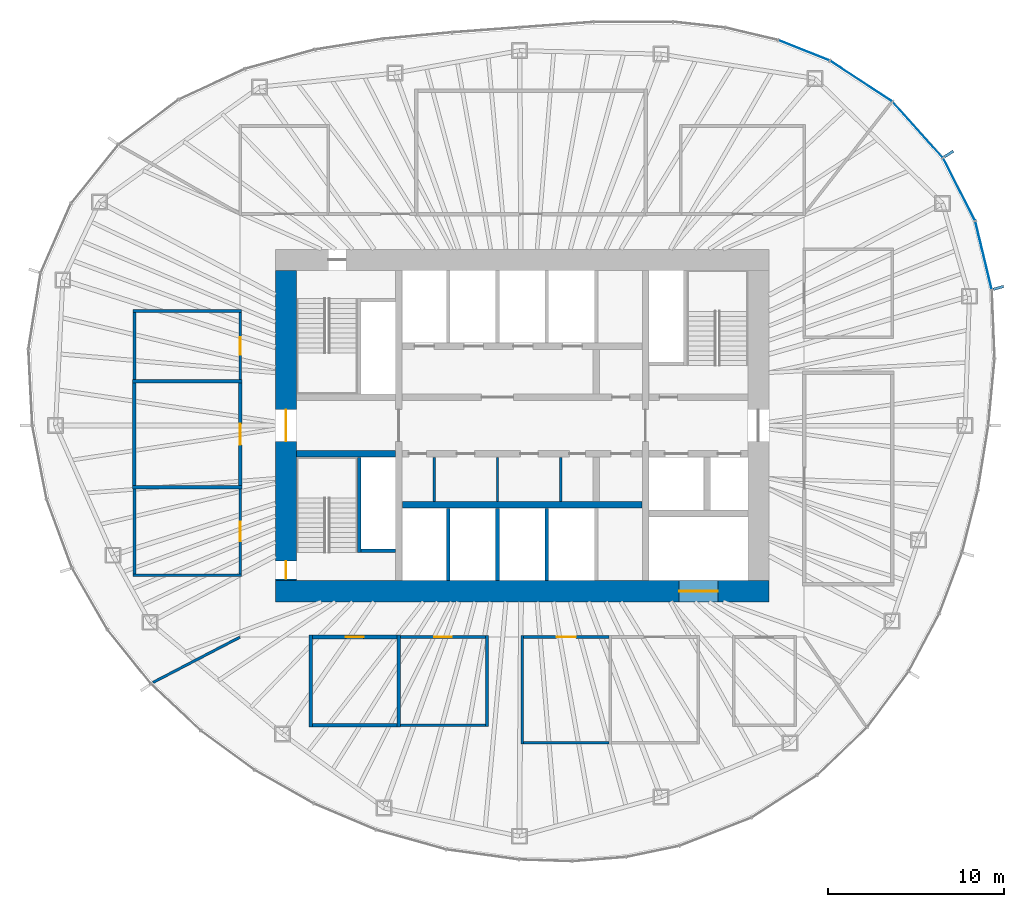
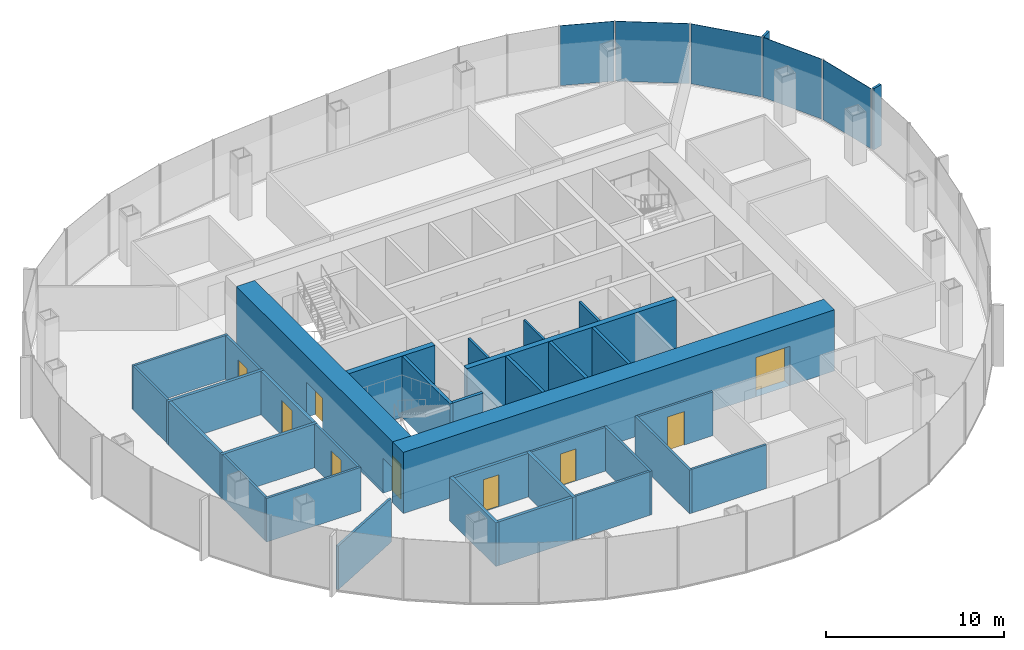
# One storey, part 8 of 11: 33 walls, 9 doors, 7 plates, 9 openings, 3 elements without a shape of their own.
"""IFC4 building model written with IfcOpenShell, lengths in metres."""

from ifc_helpers import new_model, si_unit, direction, frame, frame_2d, origin, origin_2d, place, context, subcontext, project, spatial, rectangle, extrude, material, layer, layer_set, type_object, element, fill, aggregate, save


model = new_model("IFC4")

# Units and contexts
model_context = context("Model", 3, precision=1e-05, world=origin(), true_north=direction((0.0, 1.0)))
body_context = subcontext(model_context, "Body", "Model", "MODEL_VIEW")
ifc_project = project(units=[si_unit("LENGTHUNIT", "METRE"), si_unit("AREAUNIT", "SQUARE_METRE"), si_unit("VOLUMEUNIT", "CUBIC_METRE"), si_unit("PLANEANGLEUNIT", "RADIAN"), si_unit("MASSUNIT", "GRAM", prefix="KILO")], contexts=[model_context])

# Site, building, storey
site_placement = place(None, origin())
site = spatial("IfcSite", under=ifc_project, at=site_placement, CompositionType="ELEMENT")
building_placement = place(site_placement, origin())
building = spatial("IfcBuilding", under=site, at=building_placement, Name="Ghaith Harvest Tower", CompositionType="ELEMENT")
storey_placement = place(building_placement, frame((0.0, 0.0, 262.0)))
storey = spatial("IfcBuildingStorey", under=building, at=storey_placement, Name="L58", CompositionType="ELEMENT", Elevation=262.0)

# Curtain wall, plates
ifc_material_1 = material(Name="Black anodised aluminium and fritted glass", Category="aluminium")
curtain_wall_type = type_object("IfcCurtainWallType", Name="CW-H CURTAIN WALL", PredefinedType="NOTDEFINED", material=ifc_material_1)
curtain_wall_1_placement = place(storey_placement, origin())
curtain_wall_1 = element("IfcCurtainWall", 1, at=curtain_wall_1_placement, inside=storey, type_object=curtain_wall_type, Name="Curtain wall CW-H bay 02 L58", PredefinedType="NOTDEFINED")
ifc_material_2 = material(Name="Glass, dark solar-control fritted double glazed unit", Category="glass")
ifc_layer_1 = layer(ifc_material_2, 0.030029296875)
ifc_layer_set_1 = layer_set([ifc_layer_1], Name="CW-H VISION PANEL")
plate_type_1 = type_object("IfcPlateType", Name="CW-H VISION PANEL", PredefinedType="CURTAIN_PANEL", material=ifc_layer_set_1)
plate_1_placement = place(storey_placement, frame((26.1767578125, 9.6533203125, 0.079833984375), z_axis=(0.0, 0.0, 1.0), x_axis=(-0.233894000303, 0.972262102842, 0.0)))
plate_1 = element("IfcPlate", 2, at=plate_1_placement, type_object=plate_type_1, Name="CW-H glass unit 1 bay 02 L58", PredefinedType="CURTAIN_PANEL", context=body_context, shape_type="SweptSolid", body=[
    extrude(rectangle(XDim=3.935546875, YDim=0.030029296875, at=origin_2d()), origin(), (0.0, 0.0, 1.0), 4.1201171875),
])
plate_2_placement = place(storey_placement, frame((24.790771484375, 13.399658203125, 0.079833984375), z_axis=(0.0, 0.0, 1.0), x_axis=(-0.454915320985, 0.890534699342, 0.0)))
plate_2 = element("IfcPlate", 3, at=plate_2_placement, type_object=plate_type_1, Name="CW-H glass unit 2 bay 02 L58", PredefinedType="CURTAIN_PANEL", context=body_context, shape_type="SweptSolid", body=[
    extrude(rectangle(XDim=3.949462890625, YDim=0.030029296875, at=origin_2d()), origin(), (0.0, 0.0, 1.0), 4.1201171875),
])
aggregate(curtain_wall_1, [plate_1, plate_2])

curtain_wall_2_placement = place(storey_placement, origin())
curtain_wall_2 = element("IfcCurtainWall", 4, at=curtain_wall_2_placement, inside=storey, type_object=curtain_wall_type, Name="Curtain wall CW-H bay 03 L58", PredefinedType="NOTDEFINED")
plate_3_placement = place(storey_placement, frame((22.44384765625, 16.783935546875, 0.079833984375), z_axis=(0.0, 0.0, 1.0), x_axis=(-0.668757736889, 0.743480389352, 0.0)))
plate_3 = element("IfcPlate", 5, at=plate_3_placement, type_object=plate_type_1, Name="CW-H glass unit 1 bay 03 L58", PredefinedType="CURTAIN_PANEL", context=body_context, shape_type="SweptSolid", body=[
    extrude(rectangle(XDim=4.19775390625, YDim=0.030029296875, at=origin_2d()), origin(), (0.0, 0.0, 1.0), 4.1201171875),
])
plate_4_placement = place(storey_placement, frame((19.236328125, 19.539306640625, 0.079833984375), z_axis=(0.0, 0.0, 1.0), x_axis=(-0.836276741583, 0.548307588392, 0.0)))
plate_4 = element("IfcPlate", 6, at=plate_4_placement, type_object=plate_type_1, Name="CW-H glass unit 2 bay 03 L58", PredefinedType="CURTAIN_PANEL", context=body_context, shape_type="SweptSolid", body=[
    extrude(rectangle(XDim=4.169677734375, YDim=0.030029296875, at=origin_2d()), origin(), (0.0, 0.0, 1.0), 4.1201171875),
])
aggregate(curtain_wall_2, [plate_3, plate_4])

# Curtain wall, plate
curtain_wall_3_placement = place(storey_placement, origin())
curtain_wall_3 = element("IfcCurtainWall", 7, at=curtain_wall_3_placement, inside=storey, type_object=curtain_wall_type, Name="Curtain wall CW-H bay 04 L58", PredefinedType="NOTDEFINED")
plate_5_placement = place(storey_placement, frame((15.993408203125, 21.287841796875, 0.079833984375), z_axis=(0.0, 0.0, 1.0), x_axis=(-0.929107322045, 0.369810200133, 0.0)))
plate_5 = element("IfcPlate", 8, at=plate_5_placement, type_object=plate_type_1, Name="CW-H glass unit 1 bay 04 L58", PredefinedType="CURTAIN_PANEL", context=body_context, shape_type="SweptSolid", body=[
    extrude(rectangle(XDim=3.075927734375, YDim=0.030029296875, at=origin_2d()), origin(), (0.0, 0.0, 1.0), 4.1201171875),
])
aggregate(curtain_wall_3, [plate_5])

# Plates
ifc_material_3 = material(Name="Glassfibre-reinforced concrete", Category="concrete")
ifc_layer_2 = layer(ifc_material_3, 0.14990234375)
ifc_layer_set_2 = layer_set([ifc_layer_2], Name="SUN-BREAKER FIN 600x150")
plate_type_2 = type_object("IfcPlateType", Name="SUN-BREAKER FIN 600x150", PredefinedType="USERDEFINED", material=ifc_layer_set_2)
for number, where, z_axis, x_axis, name in (
    (9, (27.03076171875, 7.8125, 0.0), (0.0, 0.0, 1.0), (0.960680349985, 0.277656739792, 0.0), "Sun-breaker fin CW-H 1 bay 02 L58"),
    (10, (24.211669921875, 15.408447265625, 0.0), (0.0, 0.0, 1.0), (0.843643971464, 0.536903016766, 0.0), "Sun-breaker fin CW-H 1 bay 03 L58"),
):
    element("IfcPlate", number, at=place(storey_placement, frame(where, z_axis=z_axis, x_axis=x_axis)), inside=storey, type_object=plate_type_2, Name=name, ObjectType="SUN-BREAKER FIN", PredefinedType="USERDEFINED", context=body_context, shape_type="SweptSolid", body=[
        extrude(rectangle(XDim=0.60009765625, YDim=0.14990234375, at=origin_2d()), origin(), (0.0, 0.0, 1.0), 4.199951171875),
    ])

# Walls
ifc_material_4 = material(Name="Twin-stud gypsum board, acoustic", Category="gypsum")
ifc_layer_3 = layer(ifc_material_4, 0.199951171875)
ifc_layer_set_3 = layer_set([ifc_layer_3], Name="ACOUSTIC PARTITION 200")
wall_type_1 = type_object("IfcWallType", Name="ACOUSTIC PARTITION 200", PredefinedType="PARTITIONING", material=ifc_layer_set_3)
for number, where, z_axis, x_axis, name in (
    (11, (-12.0, -11.89990234375, 0.0), (0.0, 0.0, 1.0), (0.0, -1.0, 0.0), "Partition L58 row S5 cross wall 1"),
    (12, (-7.0, -11.89990234375, 0.0), (0.0, 0.0, 1.0), (0.0, -1.0, 0.0), "Partition L58 row S5 cross wall 2"),
):
    element("IfcWall", number, at=place(storey_placement, frame(where, z_axis=z_axis, x_axis=x_axis)), inside=storey, type_object=wall_type_1, Name=name, PredefinedType="PARTITIONING", context=body_context, shape_type="SweptSolid", body=[
        extrude(rectangle(XDim=5.2001953125, YDim=0.199951171875, at=frame_2d((2.60009765625, 0.0))), origin(), (0.0, 0.0, 1.0), 3.0),
    ])

# Wall, opening, door
wall_1_placement = place(storey_placement, frame((-11.89990234375, -12.0, 0.0), z_axis=(0.0, 0.0, 1.0), x_axis=(1.0, 0.0, 0.0)))
wall_1 = element("IfcWall", 13, at=wall_1_placement, inside=storey, type_object=wall_type_1, Name="Partition L58-05", PredefinedType="PARTITIONING", context=body_context, shape_type="SweptSolid", body=[
    extrude(rectangle(XDim=4.7998046875, YDim=0.199951171875, at=frame_2d((2.39990234375, 0.0))), origin(), (0.0, 0.0, 1.0), 3.0),
])
opening_1_placement = place(wall_1_placement, frame((1.89990234375, 0.0, 0.0)))
opening_1 = element("IfcOpeningElement", 14, at=opening_1_placement, cuts=wall_1, Name="Opening 58-026", PredefinedType="OPENING", context=body_context, shape_type="SweptSolid", body=[
    extrude(rectangle(XDim=1.0, YDim=2.199951171875, at=frame_2d((0.5, 1.10009765625))), frame((0.0, 0.10986328125, 0.0), z_axis=(0.0, -1.0, 0.0), x_axis=(1.0, 0.0, 0.0)), (0.0, 0.0, 1.0), 0.219970703125),
])
ifc_material_5 = material(Name="Timber door", Category="wood")
door_type_1 = type_object("IfcDoorType", Name="D1 SINGLE 1000x2200", OperationType="SINGLE_SWING_LEFT", PredefinedType="DOOR", material=ifc_material_5)
door_1_placement = place(opening_1_placement, origin())
door_1 = element("IfcDoor", 15, at=door_1_placement, inside=storey, type_object=door_type_1, Name="Prayer room door", OperationType="SINGLE_SWING_LEFT", OverallHeight=2.199951171875, OverallWidth=1.0, PredefinedType="DOOR", context=body_context, shape_type="SweptSolid", body=[
    extrude(rectangle(XDim=1.0, YDim=2.199951171875, at=frame_2d((0.5, 1.10009765625))), frame((0.0, 0.02490234375, 0.0), z_axis=(0.0, -1.0, 0.0), x_axis=(1.0, 0.0, 0.0)), (0.0, 0.0, 1.0), 0.050048828125),
])
fill(opening_1, door_1)

# Walls
wall_2_placement = place(storey_placement, frame((-11.89990234375, -17.0, 0.0), z_axis=(0.0, 0.0, 1.0), x_axis=(1.0, 0.0, 0.0)))
element("IfcWall", 16, at=wall_2_placement, inside=storey, type_object=wall_type_1, Name="Partition L58-05", PredefinedType="PARTITIONING", context=body_context, shape_type="SweptSolid", body=[
    extrude(rectangle(XDim=4.7998046875, YDim=0.199951171875, at=frame_2d((2.39990234375, 0.0))), origin(), (0.0, 0.0, 1.0), 3.0),
])
for number, where, z_axis, x_axis, name in (
    (17, (-15.89990234375, -3.5, 0.0), (0.0, 0.0, 1.0), (-1.0, 0.0, 0.0), "Partition L58 row W7 cross wall 2"),
    (18, (-15.89990234375, 2.5, 0.0), (0.0, 0.0, 1.0), (-1.0, 0.0, 0.0), "Partition L58 row W7 cross wall 3"),
):
    element("IfcWall", number, at=place(storey_placement, frame(where, z_axis=z_axis, x_axis=x_axis)), inside=storey, type_object=wall_type_1, Name=name, PredefinedType="PARTITIONING", context=body_context, shape_type="SweptSolid", body=[
        extrude(rectangle(XDim=6.2001953125, YDim=0.199951171875, at=frame_2d((3.10009765625, 0.0))), origin(), (0.0, 0.0, 1.0), 3.0),
    ])

# Wall, opening, door
wall_3_placement = place(storey_placement, frame((-16.0, -3.39990234375, 0.0), z_axis=(0.0, 0.0, 1.0), x_axis=(0.0, 1.0, 0.0)))
wall_3 = element("IfcWall", 19, at=wall_3_placement, inside=storey, type_object=wall_type_1, Name="Partition L58-10", PredefinedType="PARTITIONING", context=body_context, shape_type="SweptSolid", body=[
    extrude(rectangle(XDim=5.7998046875, YDim=0.199951171875, at=frame_2d((2.89990234375, 0.0))), origin(), (0.0, 0.0, 1.0), 3.0),
])
opening_2_placement = place(wall_3_placement, frame((2.300048828125, 0.0, 0.0)))
opening_2 = element("IfcOpeningElement", 20, at=opening_2_placement, cuts=wall_3, Name="Opening 58-031", PredefinedType="OPENING", context=body_context, shape_type="SweptSolid", body=[
    extrude(rectangle(XDim=1.199951171875, YDim=2.39990234375, at=frame_2d((0.60009765625, 1.199951171875))), frame((0.0, 0.10986328125, 0.0), z_axis=(0.0, -1.0, 0.0), x_axis=(1.0, 0.0, 0.0)), (0.0, 0.0, 1.0), 0.219970703125),
])
ifc_material_6 = material(Name="Timber door", Category="wood")
door_type_2 = type_object("IfcDoorType", Name="D11 GLAZED 1200x2400", OperationType="SINGLE_SWING_LEFT", PredefinedType="DOOR", material=ifc_material_6)
door_2_placement = place(opening_2_placement, origin())
door_2 = element("IfcDoor", 21, at=door_2_placement, inside=storey, type_object=door_type_2, Name="Meeting room door", OperationType="SINGLE_SWING_LEFT", OverallHeight=2.39990234375, OverallWidth=1.199951171875, PredefinedType="DOOR", context=body_context, shape_type="SweptSolid", body=[
    extrude(rectangle(XDim=1.199951171875, YDim=2.39990234375, at=frame_2d((0.60009765625, 1.199951171875))), frame((0.0, 0.02490234375, 0.0), z_axis=(0.0, -1.0, 0.0), x_axis=(1.0, 0.0, 0.0)), (0.0, 0.0, 1.0), 0.050048828125),
])
fill(opening_2, door_2)

# Walls
wall_4_placement = place(storey_placement, frame((-22.0, -3.39990234375, 0.0), z_axis=(0.0, 0.0, 1.0), x_axis=(0.0, 1.0, 0.0)))
element("IfcWall", 22, at=wall_4_placement, inside=storey, type_object=wall_type_1, Name="Partition L58-10", PredefinedType="PARTITIONING", context=body_context, shape_type="SweptSolid", body=[
    extrude(rectangle(XDim=5.7998046875, YDim=0.199951171875, at=frame_2d((2.89990234375, 0.0))), origin(), (0.0, 0.0, 1.0), 3.0),
])
ifc_material_7 = material(Name="Concrete blockwork, fair-faced", Category="masonry")
ifc_layer_4 = layer(ifc_material_7, 0.139892578125)
ifc_layer_set_4 = layer_set([ifc_layer_4], Name="CORE PARTITION 140")
wall_type_2 = type_object("IfcWallType", Name="CORE PARTITION 140", PredefinedType="PARTITIONING", material=ifc_layer_set_4)
for number, where, z_axis, x_axis, name in (
    (23, (-5.0, -1.800048828125, 0.0), (0.0, 0.0, 1.0), (0.0, -1.0, 0.0), "Core partition L58"),
    (24, (-1.39990234375, -1.800048828125, 0.0), (0.0, 0.0, 1.0), (0.0, -1.0, 0.0), "Core partition L58"),
    (25, (2.199951171875, -1.800048828125, 0.0), (0.0, 0.0, 1.0), (0.0, -1.0, 0.0), "Core partition L58"),
):
    element("IfcWall", number, at=place(storey_placement, frame(where, z_axis=z_axis, x_axis=x_axis)), inside=storey, type_object=wall_type_2, Name=name, PredefinedType="PARTITIONING", context=body_context, shape_type="SweptSolid", body=[
        extrude(rectangle(XDim=2.5, YDim=0.139892578125, at=frame_2d((1.25, 0.0))), origin(), (0.0, 0.0, 1.0), 3.949951171875),
    ])

# Wall, opening, door
ifc_material_8 = material(Name="Concrete C60/75", Category="concrete")
ifc_layer_5 = layer(ifc_material_8, 1.199951171875)
ifc_layer_set_5 = layer_set([ifc_layer_5], Name="CORE WALL CW1200 C60")
wall_type_3 = type_object("IfcWallType", Name="CORE WALL CW1200 C60", PredefinedType="SHEAR", material=ifc_layer_set_5)
wall_5_placement = place(storey_placement, frame((-14.0, -9.39990234375, 0.0), z_axis=(0.0, 0.0, 1.0), x_axis=(1.0, 0.0, 0.0)))
wall_5 = element("IfcWall", 26, at=wall_5_placement, inside=storey, type_object=wall_type_3, Name="Core wall S L58", PredefinedType="SHEAR", context=body_context, shape_type="SweptSolid", body=[
    extrude(rectangle(XDim=28.0, YDim=1.199951171875, at=frame_2d((14.0, 0.0))), origin(), (0.0, 0.0, 1.0), 4.199951171875),
])
opening_3_placement = place(wall_5_placement, frame((22.89990234375, 0.0, 0.0)))
opening_3 = element("IfcOpeningElement", 27, at=opening_3_placement, cuts=wall_5, Name="Opening 58-021", PredefinedType="OPENING", context=body_context, shape_type="SweptSolid", body=[
    extrude(rectangle(XDim=2.199951171875, YDim=2.699951171875, at=frame_2d((1.10009765625, 1.35009765625))), frame((0.0, 0.60986328125, 0.0), z_axis=(0.0, -1.0, 0.0), x_axis=(1.0, 0.0, 0.0)), (0.0, 0.0, 1.0), 1.219970703125),
])
ifc_material_9 = material(Name="Steel fire door", Category="steel")
door_type_3 = type_object("IfcDoorType", Name="LD3 LANDING 2200x2700", OperationType="DOUBLE_DOOR_SLIDING", PredefinedType="DOOR", material=ifc_material_9)
door_3_placement = place(opening_3_placement, origin())
door_3 = element("IfcDoor", 28, at=door_3_placement, inside=storey, type_object=door_type_3, Name="Landing door, goods lift GL1", OperationType="DOUBLE_DOOR_SLIDING", OverallHeight=2.699951171875, OverallWidth=2.199951171875, PredefinedType="DOOR", context=body_context, shape_type="SweptSolid", body=[
    extrude(rectangle(XDim=2.199951171875, YDim=2.699951171875, at=frame_2d((1.10009765625, 1.35009765625))), frame((0.0, 0.02490234375, 0.0), z_axis=(0.0, -1.0, 0.0), x_axis=(1.0, 0.0, 0.0)), (0.0, 0.0, 1.0), 0.050048828125),
])
fill(opening_3, door_3)

# Wall, openings, doors
wall_6_placement = place(storey_placement, frame((-13.39990234375, 8.800048828125, 0.0), z_axis=(0.0, 0.0, 1.0), x_axis=(0.0, -1.0, 0.0)))
wall_6 = element("IfcWall", 29, at=wall_6_placement, inside=storey, type_object=wall_type_3, Name="Core wall W L58", PredefinedType="SHEAR", context=body_context, shape_type="SweptSolid", body=[
    extrude(rectangle(XDim=17.60009765625, YDim=1.199951171875, at=frame_2d((8.800048828125, 0.0))), origin(), (0.0, 0.0, 1.0), 4.199951171875),
])
opening_4_placement = place(wall_6_placement, frame((7.89990234375, 0.0, 0.0)))
opening_4 = element("IfcOpeningElement", 30, at=opening_4_placement, cuts=wall_6, Name="Opening 58-001", PredefinedType="OPENING", context=body_context, shape_type="SweptSolid", body=[
    extrude(rectangle(XDim=1.800048828125, YDim=2.39990234375, at=frame_2d((0.89990234375, 1.199951171875))), frame((0.0, 0.60986328125, 0.0), z_axis=(0.0, -1.0, 0.0), x_axis=(1.0, 0.0, 0.0)), (0.0, 0.0, 1.0), 1.219970703125),
])
opening_5_placement = place(wall_6_placement, frame((16.5, 0.0, 0.0)))
opening_5 = element("IfcOpeningElement", 31, at=opening_5_placement, cuts=wall_6, Name="Opening 58-006", PredefinedType="OPENING", context=body_context, shape_type="SweptSolid", body=[
    extrude(rectangle(XDim=1.0, YDim=2.39990234375, at=frame_2d((0.5, 1.199951171875))), frame((0.0, 0.60986328125, 0.0), z_axis=(0.0, -1.0, 0.0), x_axis=(1.0, 0.0, 0.0)), (0.0, 0.0, 1.0), 1.219970703125),
])
ifc_material_10 = material(Name="Steel fire door", Category="steel")
door_type_4 = type_object("IfcDoorType", Name="D3 FD90 1000x2400", OperationType="SINGLE_SWING_LEFT", PredefinedType="DOOR", material=ifc_material_10)
door_4_placement = place(opening_5_placement, origin())
door_4 = element("IfcDoor", 32, at=door_4_placement, inside=storey, type_object=door_type_4, Name="Stair ST3 door", OperationType="SINGLE_SWING_RIGHT", OverallHeight=2.39990234375, OverallWidth=1.0, PredefinedType="DOOR", context=body_context, shape_type="SweptSolid", body=[
    extrude(rectangle(XDim=1.0, YDim=2.39990234375, at=frame_2d((0.5, 1.199951171875))), frame((0.0, 0.02490234375, 0.0), z_axis=(0.0, -1.0, 0.0), x_axis=(1.0, 0.0, 0.0)), (0.0, 0.0, 1.0), 0.050048828125),
])
fill(opening_5, door_4)
ifc_material_11 = material(Name="Steel fire door", Category="steel")
door_type_5 = type_object("IfcDoorType", Name="D4 FD90 PAIR 1800x2400", OperationType="DOUBLE_DOOR_SINGLE_SWING", PredefinedType="DOOR", material=ifc_material_11)
door_5_placement = place(opening_4_placement, origin())
door_5 = element("IfcDoor", 33, at=door_5_placement, inside=storey, type_object=door_type_5, Name="West lobby doors", OperationType="DOUBLE_DOOR_SINGLE_SWING", OverallHeight=2.39990234375, OverallWidth=1.800048828125, PredefinedType="DOOR", context=body_context, shape_type="SweptSolid", body=[
    extrude(rectangle(XDim=1.800048828125, YDim=2.39990234375, at=frame_2d((0.89990234375, 1.199951171875))), frame((0.0, 0.02490234375, 0.0), z_axis=(0.0, -1.0, 0.0), x_axis=(1.0, 0.0, 0.0)), (0.0, 0.0, 1.0), 0.050048828125),
])
fill(opening_4, door_5)

# Walls
ifc_material_12 = material(Name="Concrete blockwork, 2-hour", Category="masonry")
ifc_layer_6 = layer(ifc_material_12, 0.199951171875)
ifc_layer_set_6 = layer_set([ifc_layer_6], Name="LIFT SHAFT WALL 200")
wall_type_4 = type_object("IfcWallType", Name="LIFT SHAFT WALL 200", PredefinedType="PARTITIONING", material=ifc_layer_set_6)
for number, where, z_axis, x_axis, name in (
    (34, (-4.199951171875, -4.699951171875, 0.0), (0.0, 0.0, 1.0), (0.0, -1.0, 0.0), "Lift shaft wall L58"),
    (35, (-1.39990234375, -4.699951171875, 0.0), (0.0, 0.0, 1.0), (0.0, -1.0, 0.0), "Lift shaft wall L58"),
    (36, (1.39990234375, -4.699951171875, 0.0), (0.0, 0.0, 1.0), (0.0, -1.0, 0.0), "Lift shaft wall L58"),
):
    element("IfcWall", number, at=place(storey_placement, frame(where, z_axis=z_axis, x_axis=x_axis)), inside=storey, type_object=wall_type_4, Name=name, PredefinedType="PARTITIONING", context=body_context, shape_type="SweptSolid", body=[
        extrude(rectangle(XDim=4.10009765625, YDim=0.199951171875, at=frame_2d((2.050048828125, 0.0))), origin(), (0.0, 0.0, 1.0), 4.199951171875),
    ])
ifc_material_13 = material(Name="Gypsum board on steel studs", Category="steel")
ifc_layer_7 = layer(ifc_material_13, 0.14990234375)
ifc_layer_set_7 = layer_set([ifc_layer_7], Name="PARTITION 150")
wall_type_5 = type_object("IfcWallType", Name="PARTITION 150", PredefinedType="PARTITIONING", material=ifc_layer_set_7)
wall_7_placement = place(storey_placement, frame((-2.0, -11.925048828125, 0.0), z_axis=(0.0, 0.0, 1.0), x_axis=(0.0, -1.0, 0.0)))
element("IfcWall", 37, at=wall_7_placement, inside=storey, type_object=wall_type_5, Name="Partition L58 row S5 cross wall 3", PredefinedType="PARTITIONING", context=body_context, shape_type="SweptSolid", body=[
    extrude(rectangle(XDim=5.14990234375, YDim=0.14990234375, at=frame_2d((2.574951171875, 0.0))), origin(), (0.0, 0.0, 1.0), 3.0),
])

# Wall, opening, door
wall_8_placement = place(storey_placement, frame((-6.89990234375, -12.0, 0.0), z_axis=(0.0, 0.0, 1.0), x_axis=(1.0, 0.0, 0.0)))
wall_8 = element("IfcWall", 38, at=wall_8_placement, inside=storey, type_object=wall_type_5, Name="Partition L58-06", PredefinedType="PARTITIONING", context=body_context, shape_type="SweptSolid", body=[
    extrude(rectangle(XDim=4.824951171875, YDim=0.14990234375, at=frame_2d((2.41259765625, 0.0))), origin(), (0.0, 0.0, 1.0), 3.0),
])
opening_6_placement = place(wall_8_placement, frame((1.91259765625, 0.0, 0.0)))
opening_6 = element("IfcOpeningElement", 39, at=opening_6_placement, cuts=wall_8, Name="Opening 58-027", PredefinedType="OPENING", context=body_context, shape_type="SweptSolid", body=[
    extrude(rectangle(XDim=1.0, YDim=2.199951171875, at=frame_2d((0.5, 1.10009765625))), frame((0.0, 0.0849609375, 0.0), z_axis=(0.0, -1.0, 0.0), x_axis=(1.0, 0.0, 0.0)), (0.0, 0.0, 1.0), 0.169921875),
])
door_6_placement = place(opening_6_placement, origin())
door_6 = element("IfcDoor", 40, at=door_6_placement, inside=storey, type_object=door_type_1, Name="Pantry door", OperationType="SINGLE_SWING_LEFT", OverallHeight=2.199951171875, OverallWidth=1.0, PredefinedType="DOOR", context=body_context, shape_type="SweptSolid", body=[
    extrude(rectangle(XDim=1.0, YDim=2.199951171875, at=frame_2d((0.5, 1.10009765625))), frame((0.0, 0.02490234375, 0.0), z_axis=(0.0, -1.0, 0.0), x_axis=(1.0, 0.0, 0.0)), (0.0, 0.0, 1.0), 0.050048828125),
])
fill(opening_6, door_6)

# Walls
wall_9_placement = place(storey_placement, frame((-6.89990234375, -17.0, 0.0), z_axis=(0.0, 0.0, 1.0), x_axis=(1.0, 0.0, 0.0)))
element("IfcWall", 41, at=wall_9_placement, inside=storey, type_object=wall_type_5, Name="Partition L58-06", PredefinedType="PARTITIONING", context=body_context, shape_type="SweptSolid", body=[
    extrude(rectangle(XDim=4.824951171875, YDim=0.14990234375, at=frame_2d((2.41259765625, 0.0))), origin(), (0.0, 0.0, 1.0), 3.0),
])
wall_10_placement = place(storey_placement, frame((0.0, -11.925048828125, 0.0), z_axis=(0.0, 0.0, 1.0), x_axis=(0.0, -1.0, 0.0)))
element("IfcWall", 42, at=wall_10_placement, inside=storey, type_object=wall_type_5, Name="Partition L58 row S6 cross wall 1", PredefinedType="PARTITIONING", context=body_context, shape_type="SweptSolid", body=[
    extrude(rectangle(XDim=6.14990234375, YDim=0.14990234375, at=frame_2d((3.074951171875, 0.0))), origin(), (0.0, 0.0, 1.0), 3.0),
])

# Wall, opening, door
wall_11_placement = place(storey_placement, frame((0.074951171875, -12.0, 0.0), z_axis=(0.0, 0.0, 1.0), x_axis=(1.0, 0.0, 0.0)))
wall_11 = element("IfcWall", 43, at=wall_11_placement, inside=storey, type_object=wall_type_5, Name="Partition L58-07", PredefinedType="PARTITIONING", context=body_context, shape_type="SweptSolid", body=[
    extrude(rectangle(XDim=4.85009765625, YDim=0.14990234375, at=frame_2d((2.425048828125, 0.0))), origin(), (0.0, 0.0, 1.0), 3.0),
])
opening_7_placement = place(wall_11_placement, frame((1.875, 0.0, 0.0)))
opening_7 = element("IfcOpeningElement", 44, at=opening_7_placement, cuts=wall_11, Name="Opening 58-028", PredefinedType="OPENING", context=body_context, shape_type="SweptSolid", body=[
    extrude(rectangle(XDim=1.10009765625, YDim=2.300048828125, at=frame_2d((0.550048828125, 1.14990234375))), frame((0.0, 0.0849609375, 0.0), z_axis=(0.0, -1.0, 0.0), x_axis=(1.0, 0.0, 0.0)), (0.0, 0.0, 1.0), 0.169921875),
])
ifc_material_14 = material(Name="Timber-framed glazed door", Category="wood")
door_type_6 = type_object("IfcDoorType", Name="D12 GLAZED OFFICE 1100x2300", OperationType="SINGLE_SWING_LEFT", PredefinedType="DOOR", material=ifc_material_14)
door_7_placement = place(opening_7_placement, origin())
door_7 = element("IfcDoor", 45, at=door_7_placement, inside=storey, type_object=door_type_6, Name="Office door", OperationType="SINGLE_SWING_LEFT", OverallHeight=2.300048828125, OverallWidth=1.10009765625, PredefinedType="DOOR", context=body_context, shape_type="SweptSolid", body=[
    extrude(rectangle(XDim=1.10009765625, YDim=2.300048828125, at=frame_2d((0.550048828125, 1.14990234375))), frame((0.0, 0.02490234375, 0.0), z_axis=(0.0, -1.0, 0.0), x_axis=(1.0, 0.0, 0.0)), (0.0, 0.0, 1.0), 0.050048828125),
])
fill(opening_7, door_7)

# Walls
wall_12_placement = place(storey_placement, frame((0.074951171875, -18.0, 0.0), z_axis=(0.0, 0.0, 1.0), x_axis=(1.0, 0.0, 0.0)))
element("IfcWall", 46, at=wall_12_placement, inside=storey, type_object=wall_type_5, Name="Partition L58-07", PredefinedType="PARTITIONING", context=body_context, shape_type="SweptSolid", body=[
    extrude(rectangle(XDim=4.85009765625, YDim=0.14990234375, at=frame_2d((2.425048828125, 0.0))), origin(), (0.0, 0.0, 1.0), 3.0),
])
for number, where, z_axis, x_axis, name in (
    (47, (-15.925048828125, -8.5, 0.0), (0.0, 0.0, 1.0), (-1.0, 0.0, 0.0), "Partition L58 row W7 cross wall 1"),
    (48, (-15.925048828125, 6.5, 0.0), (0.0, 0.0, 1.0), (-1.0, 0.0, 0.0), "Partition L58 row W7 cross wall 4"),
):
    element("IfcWall", number, at=place(storey_placement, frame(where, z_axis=z_axis, x_axis=x_axis)), inside=storey, type_object=wall_type_5, Name=name, PredefinedType="PARTITIONING", context=body_context, shape_type="SweptSolid", body=[
        extrude(rectangle(XDim=6.14990234375, YDim=0.14990234375, at=frame_2d((3.074951171875, 0.0))), origin(), (0.0, 0.0, 1.0), 3.0),
    ])

# Wall, opening, door
wall_13_placement = place(storey_placement, frame((-16.0, -8.425048828125, 0.0), z_axis=(0.0, 0.0, 1.0), x_axis=(0.0, 1.0, 0.0)))
wall_13 = element("IfcWall", 49, at=wall_13_placement, inside=storey, type_object=wall_type_5, Name="Partition L58-09", PredefinedType="PARTITIONING", context=body_context, shape_type="SweptSolid", body=[
    extrude(rectangle(XDim=4.824951171875, YDim=0.14990234375, at=frame_2d((2.41259765625, 0.0))), origin(), (0.0, 0.0, 1.0), 3.0),
])
opening_8_placement = place(wall_13_placement, frame((1.862548828125, 0.0, 0.0)))
opening_8 = element("IfcOpeningElement", 50, at=opening_8_placement, cuts=wall_13, Name="Opening 58-030", PredefinedType="OPENING", context=body_context, shape_type="SweptSolid", body=[
    extrude(rectangle(XDim=1.10009765625, YDim=2.300048828125, at=frame_2d((0.550048828125, 1.14990234375))), frame((0.0, 0.0849609375, 0.0), z_axis=(0.0, -1.0, 0.0), x_axis=(1.0, 0.0, 0.0)), (0.0, 0.0, 1.0), 0.169921875),
])
door_8_placement = place(opening_8_placement, origin())
door_8 = element("IfcDoor", 51, at=door_8_placement, inside=storey, type_object=door_type_6, Name="Office door", OperationType="SINGLE_SWING_LEFT", OverallHeight=2.300048828125, OverallWidth=1.10009765625, PredefinedType="DOOR", context=body_context, shape_type="SweptSolid", body=[
    extrude(rectangle(XDim=1.10009765625, YDim=2.300048828125, at=frame_2d((0.550048828125, 1.14990234375))), frame((0.0, 0.02490234375, 0.0), z_axis=(0.0, -1.0, 0.0), x_axis=(1.0, 0.0, 0.0)), (0.0, 0.0, 1.0), 0.050048828125),
])
fill(opening_8, door_8)

# Wall
wall_14_placement = place(storey_placement, frame((-22.0, -8.425048828125, 0.0), z_axis=(0.0, 0.0, 1.0), x_axis=(0.0, 1.0, 0.0)))
element("IfcWall", 52, at=wall_14_placement, inside=storey, type_object=wall_type_5, Name="Partition L58-09", PredefinedType="PARTITIONING", context=body_context, shape_type="SweptSolid", body=[
    extrude(rectangle(XDim=4.824951171875, YDim=0.14990234375, at=frame_2d((2.41259765625, 0.0))), origin(), (0.0, 0.0, 1.0), 3.0),
])

# Wall, opening, door
wall_15_placement = place(storey_placement, frame((-16.0, 2.60009765625, 0.0), z_axis=(0.0, 0.0, 1.0), x_axis=(0.0, 1.0, 0.0)))
wall_15 = element("IfcWall", 53, at=wall_15_placement, inside=storey, type_object=wall_type_5, Name="Partition L58-11", PredefinedType="PARTITIONING", context=body_context, shape_type="SweptSolid", body=[
    extrude(rectangle(XDim=3.824951171875, YDim=0.14990234375, at=frame_2d((1.91259765625, 0.0))), origin(), (0.0, 0.0, 1.0), 3.0),
])
opening_9_placement = place(wall_15_placement, frame((1.41259765625, 0.0, 0.0)))
opening_9 = element("IfcOpeningElement", 54, at=opening_9_placement, cuts=wall_15, Name="Opening 58-032", PredefinedType="OPENING", context=body_context, shape_type="SweptSolid", body=[
    extrude(rectangle(XDim=1.0, YDim=2.199951171875, at=frame_2d((0.5, 1.10009765625))), frame((0.0, 0.0849609375, 0.0), z_axis=(0.0, -1.0, 0.0), x_axis=(1.0, 0.0, 0.0)), (0.0, 0.0, 1.0), 0.169921875),
])
door_9_placement = place(opening_9_placement, origin())
door_9 = element("IfcDoor", 55, at=door_9_placement, inside=storey, type_object=door_type_1, Name="Store door", OperationType="SINGLE_SWING_LEFT", OverallHeight=2.199951171875, OverallWidth=1.0, PredefinedType="DOOR", context=body_context, shape_type="SweptSolid", body=[
    extrude(rectangle(XDim=1.0, YDim=2.199951171875, at=frame_2d((0.5, 1.10009765625))), frame((0.0, 0.02490234375, 0.0), z_axis=(0.0, -1.0, 0.0), x_axis=(1.0, 0.0, 0.0)), (0.0, 0.0, 1.0), 0.050048828125),
])
fill(opening_9, door_9)

# Walls
wall_16_placement = place(storey_placement, frame((-22.0, 2.60009765625, 0.0), z_axis=(0.0, 0.0, 1.0), x_axis=(0.0, 1.0, 0.0)))
element("IfcWall", 56, at=wall_16_placement, inside=storey, type_object=wall_type_5, Name="Partition L58-11", PredefinedType="PARTITIONING", context=body_context, shape_type="SweptSolid", body=[
    extrude(rectangle(XDim=3.824951171875, YDim=0.14990234375, at=frame_2d((1.91259765625, 0.0))), origin(), (0.0, 0.0, 1.0), 3.0),
])
wall_17_placement = place(storey_placement, frame((-16.017578125, -12.00927734375, 0.0), z_axis=(0.0, 0.0, 1.0), x_axis=(-0.886831549241, -0.462092851351, 0.0)))
element("IfcWall", 57, at=wall_17_placement, inside=storey, type_object=wall_type_5, Name="Partition L58 zone division", PredefinedType="PARTITIONING", context=body_context, shape_type="SweptSolid", body=[
    extrude(rectangle(XDim=5.555419921875, YDim=0.14990234375, at=frame_2d((2.77783203125, 0.0))), origin(), (0.0, 0.0, 1.0), 3.0),
])
ifc_material_15 = material(Name="Concrete C60/75", Category="concrete")
ifc_layer_8 = layer(ifc_material_15, 0.35009765625)
ifc_layer_set_8 = layer_set([ifc_layer_8], Name="SHAFT WALL 350")
wall_type_6 = type_object("IfcWallType", Name="SHAFT WALL 350", PredefinedType="SHEAR", material=ifc_layer_set_8)
wall_18_placement = place(storey_placement, frame((-6.800048828125, -4.5, 0.0), z_axis=(0.0, 0.0, 1.0), x_axis=(1.0, 0.0, 0.0)))
element("IfcWall", 58, at=wall_18_placement, inside=storey, type_object=wall_type_6, Name="Shaft wall BS L58", PredefinedType="SHEAR", context=body_context, shape_type="SweptSolid", body=[
    extrude(rectangle(XDim=13.60009765625, YDim=0.35009765625, at=frame_2d((6.800048828125, 0.0))), origin(), (0.0, 0.0, 1.0), 4.199951171875),
])
wall_19_placement = place(storey_placement, frame((-12.800048828125, -1.60009765625, 0.0), z_axis=(0.0, 0.0, 1.0), x_axis=(1.0, 0.0, 0.0)))
element("IfcWall", 59, at=wall_19_placement, inside=storey, type_object=wall_type_6, Name="Shaft wall WS L58", PredefinedType="SHEAR", context=body_context, shape_type="SweptSolid", body=[
    extrude(rectangle(XDim=5.60009765625, YDim=0.35009765625, at=frame_2d((2.800048828125, 0.0))), origin(), (0.0, 0.0, 1.0), 4.199951171875),
])
ifc_material_16 = material(Name="Concrete C40/50", Category="concrete")
ifc_layer_9 = layer(ifc_material_16, 0.199951171875)
ifc_layer_set_9 = layer_set([ifc_layer_9], Name="STAIR SPINE WALL RC200")
wall_type_7 = type_object("IfcWallType", Name="STAIR SPINE WALL RC200", PredefinedType="SOLIDWALL", material=ifc_layer_set_9)
wall_20_placement = place(storey_placement, frame((-9.25, -7.199951171875, 0.0), z_axis=(0.0, 0.0, 1.0), x_axis=(0.0, 1.0, 0.0)))
element("IfcWall", 60, at=wall_20_placement, inside=storey, type_object=wall_type_7, Name="Stair ST3 spine wall L58", PredefinedType="SOLIDWALL", context=body_context, shape_type="SweptSolid", body=[
    extrude(rectangle(XDim=5.39990234375, YDim=0.199951171875, at=frame_2d((2.699951171875, 0.0))), origin(), (0.0, 0.0, 1.0), 4.199951171875),
])
wall_21_placement = place(storey_placement, frame((-9.14990234375, -7.10009765625, 0.0), z_axis=(0.0, 0.0, 1.0), x_axis=(1.0, 0.0, 0.0)))
element("IfcWall", 61, at=wall_21_placement, inside=storey, type_object=wall_type_7, Name="Stair ST3 spine wall return L58", PredefinedType="SOLIDWALL", context=body_context, shape_type="SweptSolid", body=[
    extrude(rectangle(XDim=1.949951171875, YDim=0.199951171875, at=frame_2d((0.97509765625, 0.0))), origin(), (0.0, 0.0, 1.0), 4.199951171875),
])

save(model, "model.ifc")
